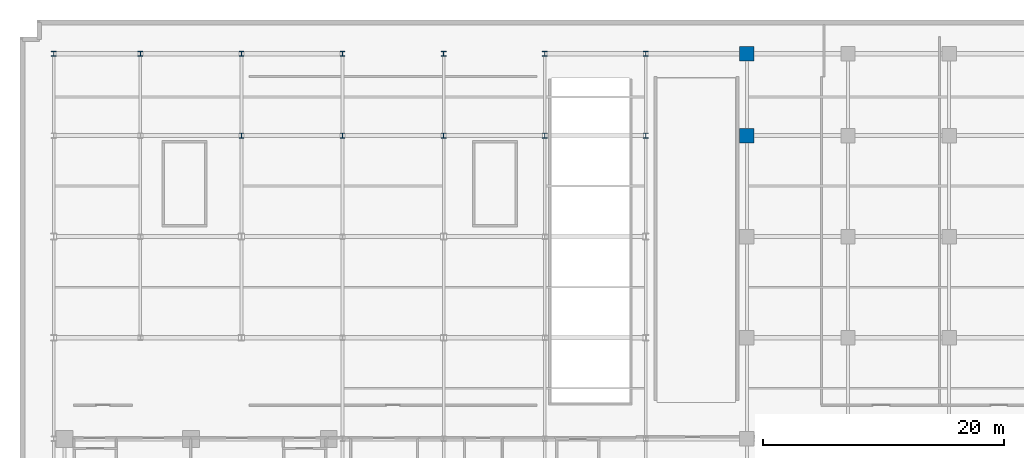
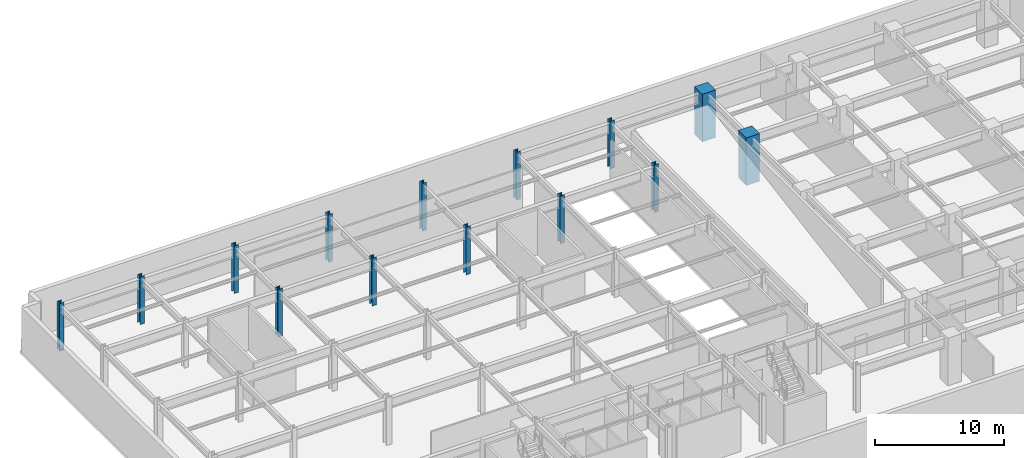
# One storey, part 2 of 14: 14 columns.
"""IFC4 building model written with IfcOpenShell, lengths in metres."""

from ifc_helpers import new_model, si_unit, direction, frame, origin, origin_2d, place, context, subcontext, project, spatial, rectangle, i_section, extrude, material, material_profile, profile_set, type_object, element, save


model = new_model("IFC4")

# Units and contexts
model_context = context("Model", 3, precision=1e-05, world=origin(), true_north=direction((0.0, 1.0)))
body_context = subcontext(model_context, "Body", "Model", "MODEL_VIEW")
ifc_project = project(units=[si_unit("LENGTHUNIT", "METRE"), si_unit("AREAUNIT", "SQUARE_METRE"), si_unit("VOLUMEUNIT", "CUBIC_METRE"), si_unit("PLANEANGLEUNIT", "RADIAN"), si_unit("MASSUNIT", "GRAM", prefix="KILO")], contexts=[model_context])

# Site, building, storey
site_placement = place(None, origin())
site = spatial("IfcSite", under=ifc_project, at=site_placement, CompositionType="ELEMENT")
building_placement = place(site_placement, origin())
building = spatial("IfcBuilding", under=site, at=building_placement, Name="Varnakote Quay Hospital", CompositionType="ELEMENT")
storey_placement = place(building_placement, frame((0.0, 0.0, -4.5)))
storey = spatial("IfcBuildingStorey", under=building, at=storey_placement, Name="B01", CompositionType="ELEMENT", Elevation=-4.5)

# Columns
ifc_material_1 = material(Name="Concrete N80 (f'c 80 MPa)", Category="concrete")
ifc_material_profile_1 = material_profile(ifc_material_1, rectangle(XDim=1.199951171875, YDim=1.199951171875, at=origin_2d()), Name="RC-COL-1200x1200")
ifc_profile_set_1 = profile_set([ifc_material_profile_1], Name="Concrete N80 (f'c 80 MPa)")
column_type_1 = type_object("IfcColumnType", Name="COL-RC-1200", PredefinedType="COLUMN", material=ifc_profile_set_1)
for number, where, z_axis, x_axis, name in (
    (1, (58.800048828125, 37.199951171875, 0.0), (0.0, 0.0, 1.0), (1.0, 0.0, 0.0), "B01 Structural Column C-59-37"),
    (2, (58.800048828125, 44.0, 0.0), (0.0, 0.0, 1.0), (1.0, 0.0, 0.0), "B01 Structural Column C-59-44"),
):
    element("IfcColumn", number, at=place(storey_placement, frame(where, z_axis=z_axis, x_axis=x_axis)), inside=storey, type_object=column_type_1, Name=name, PredefinedType="COLUMN", context=body_context, shape_type="SweptSolid", body=[
        extrude(rectangle(XDim=1.199951171875, YDim=1.199951171875, at=origin_2d()), origin(), (0.0, 0.0, 1.0), 4.5),
    ])
ifc_material_2 = material(Name="Structural steel AS/NZS 3678 Grade 350 (fy 340 MPa)", Category="steel")
ifc_material_profile_2 = material_profile(ifc_material_2, i_section(OverallWidth=0.39990234375, OverallDepth=0.419921875, WebThickness=0.02490234375, FlangeThickness=0.0400390625, at=origin_2d()), Name="400WC328")
ifc_profile_set_2 = profile_set([ifc_material_profile_2], Name="Structural steel AS/NZS 3678 Grade 350 (fy 340 MPa)")
column_type_2 = type_object("IfcColumnType", Name="COL-STL-400WC328", PredefinedType="COLUMN", material=ifc_profile_set_2)
for number, where, z_axis, x_axis, name in (
    (3, (16.800048828125, 37.199951171875, 0.0), (0.0, 0.0, 1.0), (1.0, 0.0, 0.0), "B01 Structural Column C-17-37"),
    (4, (25.199951171875, 37.199951171875, 0.0), (0.0, 0.0, 1.0), (1.0, 0.0, 0.0), "B01 Structural Column C-25-37"),
    (5, (33.60009765625, 37.199951171875, 0.0), (0.0, 0.0, 1.0), (1.0, 0.0, 0.0), "B01 Structural Column C-34-37"),
    (6, (42.0, 37.199951171875, 0.0), (0.0, 0.0, 1.0), (1.0, 0.0, 0.0), "B01 Structural Column C-42-37"),
    (7, (50.39990234375, 37.199951171875, 0.0), (0.0, 0.0, 1.0), (1.0, 0.0, 0.0), "B01 Structural Column C-50-37"),
    (8, (1.199951171875, 44.0, 0.0), (0.0, 0.0, 1.0), (1.0, 0.0, 0.0), "B01 Structural Column C-1-44"),
    (9, (8.39990234375, 44.0, 0.0), (0.0, 0.0, 1.0), (1.0, 0.0, 0.0), "B01 Structural Column C-8-44"),
    (10, (16.800048828125, 44.0, 0.0), (0.0, 0.0, 1.0), (1.0, 0.0, 0.0), "B01 Structural Column C-17-44"),
    (11, (25.199951171875, 44.0, 0.0), (0.0, 0.0, 1.0), (1.0, 0.0, 0.0), "B01 Structural Column C-25-44"),
    (12, (33.60009765625, 44.0, 0.0), (0.0, 0.0, 1.0), (1.0, 0.0, 0.0), "B01 Structural Column C-34-44"),
    (13, (42.0, 44.0, 0.0), (0.0, 0.0, 1.0), (1.0, 0.0, 0.0), "B01 Structural Column C-42-44"),
    (14, (50.39990234375, 44.0, 0.0), (0.0, 0.0, 1.0), (1.0, 0.0, 0.0), "B01 Structural Column C-50-44"),
):
    element("IfcColumn", number, at=place(storey_placement, frame(where, z_axis=z_axis, x_axis=x_axis)), inside=storey, type_object=column_type_2, Name=name, PredefinedType="COLUMN", context=body_context, shape_type="SweptSolid", body=[
        extrude(i_section(OverallWidth=0.39990234375, OverallDepth=0.419921875, WebThickness=0.02490234375, FlangeThickness=0.0400390625, at=origin_2d()), origin(), (0.0, 0.0, 1.0), 4.5),
    ])

save(model, "model.ifc")
